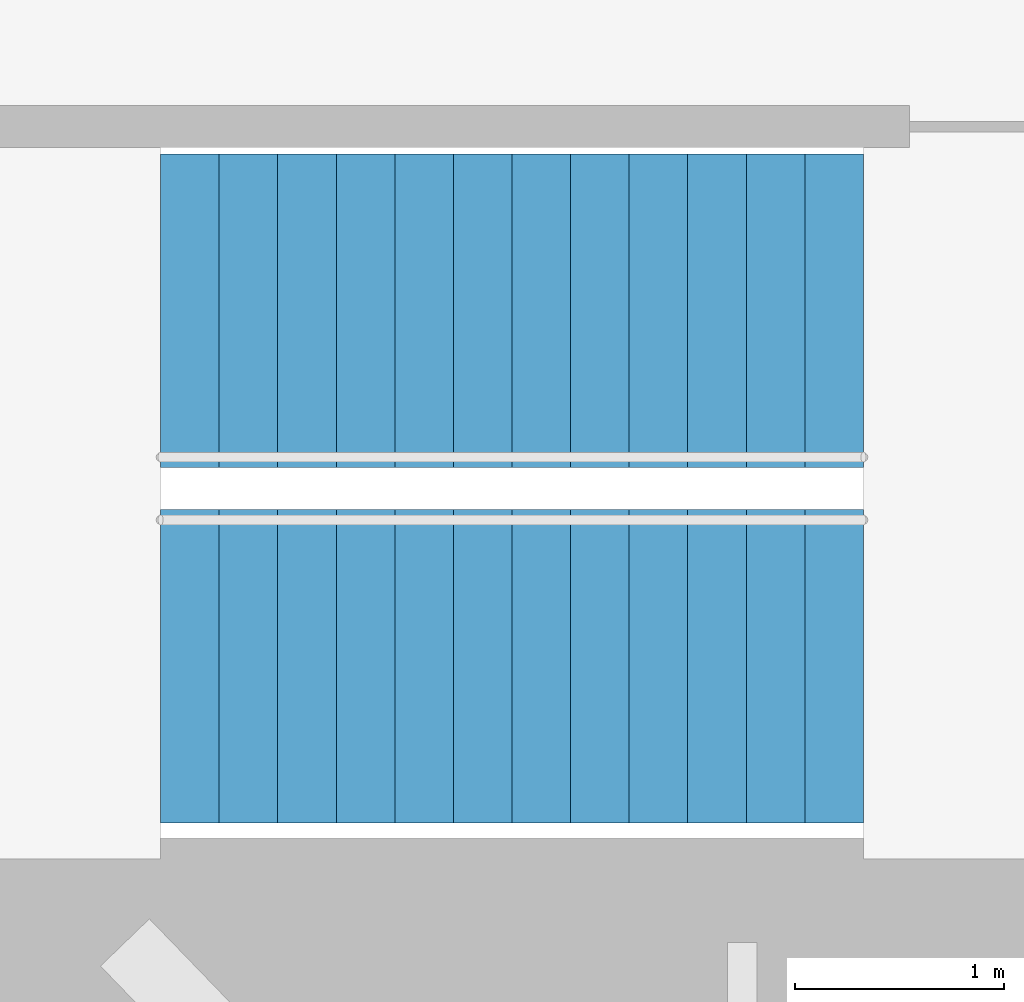
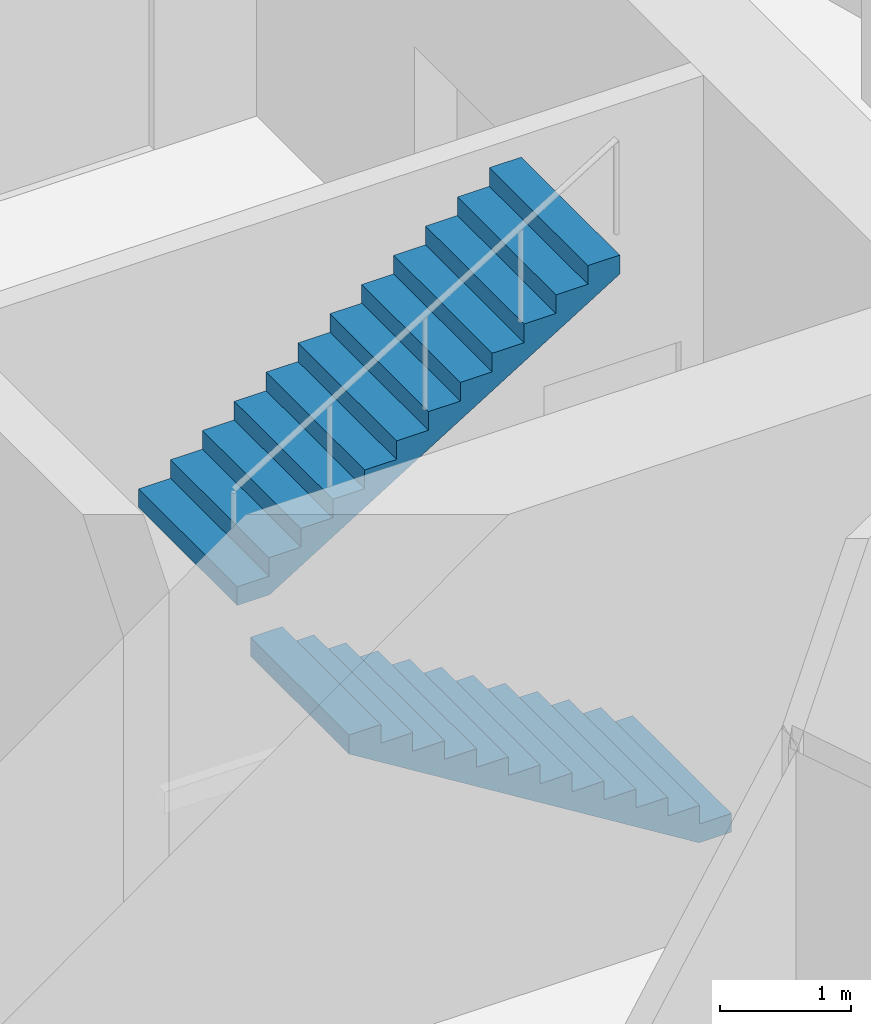
# One storey, part 15 of 17: 2 stair flights, 1 element without a shape of its own.
"""IFC4 building model written with IfcOpenShell, lengths in metres."""

import ifcopenshell
import ifcopenshell.guid

model = None  # the IFC model being written
_history = None  # IfcOwnerHistory: only IFC2X3 demands one
_inside = {}  # id of a spatial element -> (the spatial element, [elements in it])
_under = {}  # id of a project, library or spatial element -> (it, [spatial elements below it])
_declared = {}  # id of a project -> (the project, [libraries it declares])
_typed = {}  # id of a type object -> (the type object, [elements of that type])
_made_of = {}  # id of a material, layer set ... -> (it, [elements and type objects made of it])


def new_model(schema):
    """Start an empty IFC model of exactly this schema.

    Asked for "IFC4X3", IfcOpenShell would pick the latest addendum, in which some entities
    have other attributes; the version numbers below select the first issue.
    IFC2X3 requires an IfcOwnerHistory on every rooted entity: one is made here for all.
    """
    global model, _history
    if schema == "IFC4X3":
        model = ifcopenshell.file(schema_version=(4, 3, 0, 0))
    else:
        model = ifcopenshell.file(schema=schema)
    _inside.clear()
    _under.clear()
    _declared.clear()
    _typed.clear()
    _made_of.clear()
    _history = None
    if model.schema == "IFC2X3":
        org = make("IfcOrganization", Name="unknown")
        user = make(
            "IfcPersonAndOrganization",
            ThePerson=make("IfcPerson", FamilyName="unknown"),
            TheOrganization=org,
        )
        app = make(
            "IfcApplication",
            ApplicationDeveloper=org,
            Version="unknown",
            ApplicationFullName="unknown",
            ApplicationIdentifier="unknown",
        )
        _history = make(
            "IfcOwnerHistory",
            OwningUser=user,
            OwningApplication=app,
            ChangeAction="ADDED",
            CreationDate=0,
        )
    return model


def make(cls, **values):
    """One entity of the class cls with the attributes given. An attribute that is None is left unset."""
    return model.create_entity(
        cls, **{name: value for name, value in values.items() if value is not None}
    )


def rooted(cls, **values):
    """An entity with a GlobalId (a new one), such as an element, a storey or a relation."""
    return make(cls, GlobalId=ifcopenshell.guid.new(), OwnerHistory=_history, **values)


def si_unit(unit_type, name, prefix=None):
    """IfcSIUnit, for example si_unit("LENGTHUNIT", "METRE", prefix="MILLI")."""
    return make("IfcSIUnit", UnitType=unit_type, Prefix=prefix, Name=name)


def assignment(units):
    """IfcUnitAssignment: the units of a project."""
    return None if units is None else make("IfcUnitAssignment", Units=units)


def point(xyz):
    """IfcCartesianPoint."""
    return None if xyz is None else make("IfcCartesianPoint", Coordinates=xyz)


def direction(xyz):
    """IfcDirection."""
    return None if xyz is None else make("IfcDirection", DirectionRatios=xyz)


def frame(location, z_axis=None, x_axis=None):
    """IfcAxis2Placement3D, a coordinate frame: its origin and axes. An axis left out is left unset."""
    return make(
        "IfcAxis2Placement3D",
        Location=point(location),
        Axis=direction(z_axis),
        RefDirection=direction(x_axis),
    )


def origin():
    """The frame at (0, 0, 0) with its axes left unset."""
    return frame((0.0, 0.0, 0.0))


def place(relative_to, where):
    """IfcLocalPlacement: puts the frame where relative to a parent placement (None: the world)."""
    return make(
        "IfcLocalPlacement", PlacementRelTo=relative_to, RelativePlacement=where
    )


def context(
    kind, dimensions, precision=None, world=None, true_north=None, identifier=None
):
    """IfcGeometricRepresentationContext, for example the 3D "Model" context."""
    return make(
        "IfcGeometricRepresentationContext",
        ContextIdentifier=identifier,
        ContextType=kind,
        CoordinateSpaceDimension=dimensions,
        Precision=precision,
        WorldCoordinateSystem=world,
        TrueNorth=true_north,
    )


def subcontext(parent, identifier, kind, view, scale=None):
    """IfcGeometricRepresentationSubContext, for example "Body" below "Model"."""
    return make(
        "IfcGeometricRepresentationSubContext",
        ContextIdentifier=identifier,
        ContextType=kind,
        ParentContext=parent,
        TargetScale=scale,
        TargetView=view,
    )


def project(units=None, contexts=None):
    """IfcProject with its units and contexts."""
    return rooted(
        "IfcProject",
        Name="project",
        RepresentationContexts=contexts,
        UnitsInContext=assignment(units),
    )


def spatial(cls, under=None, at=None, **own):
    """A site, building, storey or space (cls), placed at a placement, below another one or the project."""
    s = rooted(cls, ObjectPlacement=at, **own)
    if under is not None:
        _under.setdefault(under.id(), (under, []))[1].append(s)
    return s


def point_list(points):
    """IfcCartesianPointList2D or 3D."""
    cls = (
        "IfcCartesianPointList2D" if len(points[0]) == 2 else "IfcCartesianPointList3D"
    )
    return make(cls, CoordList=points)


def triangles(points, corners, closed=None, point_numbers=None):
    """IfcTriangulatedFaceSet: each triangle names its three corners, points numbered from 1."""
    return make(
        "IfcTriangulatedFaceSet",
        Coordinates=point_list(points),
        Closed=closed,
        CoordIndex=corners,
        PnIndex=point_numbers,
    )


def shape(context_of_items, identifier, shape_type, items):
    """IfcShapeRepresentation: the items that make up one representation, for example the "Body"."""
    return make(
        "IfcShapeRepresentation",
        ContextOfItems=context_of_items,
        RepresentationIdentifier=identifier,
        RepresentationType=shape_type,
        Items=items,
    )


def material(Name=None, Category=None):
    """IfcMaterial."""
    return make("IfcMaterial", Name=Name, Category=Category)


def made_of(thing, what):
    """Note that an element or type object is made of a material, layer set ...; save() writes the relation."""
    if what is not None:
        _made_of.setdefault(what.id(), (what, []))[1].append(thing)
    return thing


def type_object(cls, material=None, **own):
    """A type object (cls), such as IfcWallType, which elements share."""
    return made_of(rooted(cls, **own), material)


def element(
    cls,
    number,
    at=None,
    inside=None,
    cuts=None,
    type_object=None,
    material=None,
    context=None,
    identifier="Body",
    shape_type=None,
    held_by="IfcProductDefinitionShape",
    body=None,
    shapes=None,
    **own,
):
    """One element of the class cls, such as IfcWall. Its Tag is "e" and its number.

    at: its placement. inside: the storey or other place that contains it. cuts: it is an
    opening in that element (IfcRelVoidsElement). A single representation is given by context,
    identifier, shape_type and body (its items); several are given by shapes. held_by: the class
    of the entity that holds the representations. save() writes the other relations.
    """
    e = rooted(cls, Tag="e%d" % number, ObjectPlacement=at, **own)
    if body is not None:
        shapes = [shape(context, identifier, shape_type, body)]
    if shapes is not None:
        e.Representation = make(held_by, Representations=shapes)
    if inside is not None:
        _inside.setdefault(inside.id(), (inside, []))[1].append(e)
    if cuts is not None:
        rooted(
            "IfcRelVoidsElement", RelatingBuildingElement=cuts, RelatedOpeningElement=e
        )
    if type_object is not None:
        _typed.setdefault(type_object.id(), (type_object, []))[1].append(e)
    return made_of(e, material)


def aggregate(whole, parts):
    """IfcRelAggregates: a whole, such as a stair, and the parts it consists of."""
    return rooted("IfcRelAggregates", RelatingObject=whole, RelatedObjects=parts)


def save(model, path):
    """Write the relations noted so far, then the file.

    IfcRelAggregates (storeys below a building ...), IfcRelContainedInSpatialStructure (elements
    in a storey), IfcRelDefinesByType, IfcRelAssociatesMaterial and IfcRelDeclares: one each for
    every whole, place, type object, material and project.
    """
    for whole, parts in _under.values():
        aggregate(whole, parts)
    for where, things in _inside.values():
        rooted(
            "IfcRelContainedInSpatialStructure",
            RelatedElements=things,
            RelatingStructure=where,
        )
    for kind, things in _typed.values():
        rooted("IfcRelDefinesByType", RelatedObjects=things, RelatingType=kind)
    for what, things in _made_of.values():
        rooted("IfcRelAssociatesMaterial", RelatedObjects=things, RelatingMaterial=what)
    for by, libraries in _declared.values():
        rooted("IfcRelDeclares", RelatingContext=by, RelatedDefinitions=libraries)
    model.write(path)


model = new_model("IFC4")

# Units and contexts
model_context = context("Model", 3, precision=1e-05, world=origin(), true_north=direction((0.0, 1.0)))
body_context = subcontext(model_context, "Body", "Model", "MODEL_VIEW")
ifc_project = project(units=[si_unit("LENGTHUNIT", "METRE"), si_unit("AREAUNIT", "SQUARE_METRE"), si_unit("VOLUMEUNIT", "CUBIC_METRE"), si_unit("PLANEANGLEUNIT", "RADIAN"), si_unit("MASSUNIT", "GRAM", prefix="KILO")], contexts=[model_context])

# Site, building, storey
site_placement = place(None, origin())
site = spatial("IfcSite", under=ifc_project, at=site_placement, CompositionType="ELEMENT")
building_placement = place(site_placement, origin())
building = spatial("IfcBuilding", under=site, at=building_placement, Name="Lantaw Convention Tower", CompositionType="ELEMENT")
storey_placement = place(building_placement, frame((0.0, 0.0, 270.39990234375)))
storey = spatial("IfcBuildingStorey", under=building, at=storey_placement, Name="L63", CompositionType="ELEMENT", Elevation=270.39990234375)

# Stair, stair flights
ifc_material = material(Name="Concrete C35/45", Category="concrete")
stair_type = type_object("IfcStairType", Name="Exit stair 1500 riser 173.08 in 2 flights", PredefinedType="HALF_TURN_STAIR", material=ifc_material)
stair_placement = place(storey_placement, origin())
stair = element("IfcStair", 1, at=stair_placement, inside=storey, type_object=stair_type, Name="Exit stair S2 L63", PredefinedType="HALF_TURN_STAIR")
stair_flight_type = type_object("IfcStairFlightType", Name="Stair flight 1500 riser 173.08", PredefinedType="STRAIGHT", material=ifc_material)
stair_flight_1_placement = place(storey_placement, frame((10.580078125, -5.97998046875, 0.0), z_axis=(0.0, 0.0, 1.0), x_axis=(-1.0, 0.0, 0.0)))
stair_flight_1 = element("IfcStairFlight", 2, at=stair_flight_1_placement, type_object=stair_flight_type, Name="S2 flight 1", NumberOfRisers=13, NumberOfTreads=12, PredefinedType="STRAIGHT", RiserHeight=0.173076923, TreadLength=0.28, context=body_context, shape_type="Tessellation", body=[
    triangles([(0.0, 0.75, 0.0), (0.0, 0.75, 0.173076923), (0.28, 0.75, 0.0), (0.28, 0.75, 0.173076923), (0.28, 0.75, 0.346153846), (0.28509853184261624, 0.75, 0.0), (0.28509853184261624, 0.75, 0.346153846), (0.56, 0.75, 0.16992535798879452), (0.56, 0.75, 0.346153846), (0.56, 0.75, 0.519230769), (0.8400000000000001, 0.75, 0.34300228098879454), (0.8400000000000001, 0.75, 0.519230769), (0.8400000000000001, 0.75, 0.692307692), (1.12, 0.75, 0.5160792039887945), (1.12, 0.75, 0.692307692), (1.12, 0.75, 0.865384615), (1.4000000000000001, 0.75, 0.6891561269887945), (1.4000000000000001, 0.75, 0.865384615), (1.4000000000000001, 0.75, 1.038461538), (1.6800000000000002, 0.75, 0.8622330499887946), (1.6800000000000002, 0.75, 1.038461538), (1.6800000000000002, 0.75, 1.211538461), (1.9600000000000002, 0.75, 1.0353099729887945), (1.9600000000000002, 0.75, 1.211538461), (1.9600000000000002, 0.75, 1.384615384), (2.24, 0.75, 1.2083868959887945), (2.24, 0.75, 1.384615384), (2.24, 0.75, 1.557692307), (2.5200000000000005, 0.75, 1.3814638189887947), (2.5200000000000005, 0.75, 1.557692307), (2.5200000000000005, 0.75, 1.73076923), (2.8000000000000003, 0.75, 1.5545407419887944), (2.8000000000000003, 0.75, 1.73076923), (2.8000000000000003, 0.75, 1.903846153), (3.08, 0.75, 1.7276176649887944), (3.08, 0.75, 1.903846153), (3.08, 0.75, 2.076923076), (3.3600000000000003, 0.75, 1.9006945879887944), (3.3600000000000003, 0.75, 2.076923076), (0.0, -0.75, 0.0), (0.0, -0.75, 0.173076923), (0.28, -0.75, 0.0), (0.28, -0.75, 0.173076923), (0.28, -0.75, 0.346153846), (0.28509853184261624, -0.75, 0.0), (0.28509853184261624, -0.75, 0.346153846), (0.56, -0.75, 0.16992535798879452), (0.56, -0.75, 0.346153846), (0.56, -0.75, 0.519230769), (0.8400000000000001, -0.75, 0.34300228098879454), (0.8400000000000001, -0.75, 0.519230769), (0.8400000000000001, -0.75, 0.692307692), (1.12, -0.75, 0.5160792039887945), (1.12, -0.75, 0.692307692), (1.12, -0.75, 0.865384615), (1.4000000000000001, -0.75, 0.6891561269887945), (1.4000000000000001, -0.75, 0.865384615), (1.4000000000000001, -0.75, 1.038461538), (1.6800000000000002, -0.75, 0.8622330499887946), (1.6800000000000002, -0.75, 1.038461538), (1.6800000000000002, -0.75, 1.211538461), (1.9600000000000002, -0.75, 1.0353099729887945), (1.9600000000000002, -0.75, 1.211538461), (1.9600000000000002, -0.75, 1.384615384), (2.24, -0.75, 1.2083868959887945), (2.24, -0.75, 1.384615384), (2.24, -0.75, 1.557692307), (2.5200000000000005, -0.75, 1.3814638189887947), (2.5200000000000005, -0.75, 1.557692307), (2.5200000000000005, -0.75, 1.73076923), (2.8000000000000003, -0.75, 1.5545407419887944), (2.8000000000000003, -0.75, 1.73076923), (2.8000000000000003, -0.75, 1.903846153), (3.08, -0.75, 1.7276176649887944), (3.08, -0.75, 1.903846153), (3.08, -0.75, 2.076923076), (3.3600000000000003, -0.75, 1.9006945879887944), (3.3600000000000003, -0.75, 2.076923076), (0.0, 0.15000000000000002, 0.173076923), (0.0, 0.15000000000000002, 0.0), (0.0, 0.0, 0.173076923), (0.0, 0.0, 0.0), (0.0, -0.15000000000000002, 0.173076923), (0.0, -0.15000000000000002, 0.0), (0.28, 0.15000000000000002, 0.346153846), (0.28, 0.15000000000000002, 0.173076923), (0.28, 0.0, 0.346153846), (0.28, 0.0, 0.173076923), (0.28, -0.15000000000000002, 0.346153846), (0.28, -0.15000000000000002, 0.173076923), (0.56, 0.15000000000000002, 0.519230769), (0.56, 0.15000000000000002, 0.346153846), (0.56, 0.0, 0.519230769), (0.56, 0.0, 0.346153846), (0.56, -0.15000000000000002, 0.519230769), (0.56, -0.15000000000000002, 0.346153846), (0.8400000000000001, 0.15000000000000002, 0.692307692), (0.8400000000000001, 0.15000000000000002, 0.519230769), (0.8400000000000001, 0.0, 0.692307692), (0.8400000000000001, 0.0, 0.519230769), (0.8400000000000001, -0.15000000000000002, 0.692307692), (0.8400000000000001, -0.15000000000000002, 0.519230769), (1.12, 0.15000000000000002, 0.865384615), (1.12, 0.15000000000000002, 0.692307692), (1.12, 0.0, 0.865384615), (1.12, 0.0, 0.692307692), (1.12, -0.15000000000000002, 0.865384615), (1.12, -0.15000000000000002, 0.692307692), (1.4000000000000001, 0.15000000000000002, 1.038461538), (1.4000000000000001, 0.15000000000000002, 0.865384615), (1.4000000000000001, 0.0, 1.038461538), (1.4000000000000001, 0.0, 0.865384615), (1.4000000000000001, -0.15000000000000002, 1.038461538), (1.4000000000000001, -0.15000000000000002, 0.865384615), (1.6800000000000002, 0.15000000000000002, 1.211538461), (1.6800000000000002, 0.15000000000000002, 1.038461538), (1.6800000000000002, 0.0, 1.211538461), (1.6800000000000002, 0.0, 1.038461538), (1.6800000000000002, -0.15000000000000002, 1.211538461), (1.6800000000000002, -0.15000000000000002, 1.038461538), (1.9600000000000002, 0.15000000000000002, 1.384615384), (1.9600000000000002, 0.15000000000000002, 1.211538461), (1.9600000000000002, 0.0, 1.384615384), (1.9600000000000002, 0.0, 1.211538461), (1.9600000000000002, -0.15000000000000002, 1.384615384), (1.9600000000000002, -0.15000000000000002, 1.211538461), (2.24, 0.15000000000000002, 1.557692307), (2.24, 0.15000000000000002, 1.384615384), (2.24, 0.0, 1.557692307), (2.24, 0.0, 1.384615384), (2.24, -0.15000000000000002, 1.557692307), (2.24, -0.15000000000000002, 1.384615384), (2.5200000000000005, 0.15000000000000002, 1.73076923), (2.5200000000000005, 0.15000000000000002, 1.557692307), (2.5200000000000005, 0.0, 1.73076923), (2.5200000000000005, 0.0, 1.557692307), (2.5200000000000005, -0.15000000000000002, 1.73076923), (2.5200000000000005, -0.15000000000000002, 1.557692307), (2.8000000000000003, 0.15000000000000002, 1.903846153), (2.8000000000000003, 0.15000000000000002, 1.73076923), (2.8000000000000003, 0.0, 1.903846153), (2.8000000000000003, 0.0, 1.73076923), (2.8000000000000003, -0.15000000000000002, 1.903846153), (2.8000000000000003, -0.15000000000000002, 1.73076923), (3.08, 0.15000000000000002, 2.076923076), (3.08, 0.15000000000000002, 1.903846153), (3.08, 0.0, 2.076923076), (3.08, 0.0, 1.903846153), (3.08, -0.15000000000000002, 2.076923076), (3.08, -0.15000000000000002, 1.903846153), (0.28509853184261624, 0.15000000000000002, 0.346153846), (0.28509853184261624, 0.0, 0.346153846), (0.28509853184261624, -0.15000000000000002, 0.346153846), (3.3600000000000003, 0.15000000000000002, 2.076923076), (3.3600000000000003, 0.0, 2.076923076), (3.3600000000000003, -0.15000000000000002, 2.076923076), (3.3600000000000003, 0.15000000000000002, 1.9006945879887942), (3.3600000000000003, 0.0, 1.9006945879887942), (3.3600000000000003, -0.15000000000000002, 1.9006945879887942), (3.08, 0.15000000000000002, 1.7276176649887944), (3.08, 0.0, 1.7276176649887944), (3.08, -0.15000000000000002, 1.7276176649887944), (2.8000000000000003, 0.15000000000000002, 1.5545407419887944), (2.8000000000000003, 0.0, 1.5545407419887944), (2.8000000000000003, -0.15000000000000002, 1.5545407419887944), (2.5200000000000005, 0.15000000000000002, 1.3814638189887947), (2.5200000000000005, 0.0, 1.3814638189887947), (2.5200000000000005, -0.15000000000000002, 1.3814638189887947), (2.24, 0.15000000000000002, 1.2083868959887945), (2.24, 0.0, 1.2083868959887945), (2.24, -0.15000000000000002, 1.2083868959887945), (1.9600000000000002, 0.15000000000000002, 1.0353099729887945), (1.9600000000000002, 0.0, 1.0353099729887945), (1.9600000000000002, -0.15000000000000002, 1.0353099729887945), (1.6800000000000002, 0.15000000000000002, 0.8622330499887946), (1.6800000000000002, 0.0, 0.8622330499887946), (1.6800000000000002, -0.15000000000000002, 0.8622330499887946), (1.4000000000000001, 0.15000000000000002, 0.6891561269887945), (1.4000000000000001, 0.0, 0.6891561269887945), (1.4000000000000001, -0.15000000000000002, 0.6891561269887945), (1.12, 0.15000000000000002, 0.5160792039887945), (1.12, 0.0, 0.5160792039887945), (1.12, -0.15000000000000002, 0.5160792039887945), (0.8400000000000001, 0.15000000000000002, 0.34300228098879454), (0.8400000000000001, 0.0, 0.34300228098879454), (0.8400000000000001, -0.15000000000000002, 0.34300228098879454), (0.56, 0.15000000000000002, 0.16992535798879452), (0.56, 0.0, 0.16992535798879452), (0.56, -0.15000000000000002, 0.16992535798879452), (0.28509853184261624, 0.15000000000000002, 0.0), (0.28509853184261624, 0.0, 0.0), (0.28509853184261624, -0.15000000000000002, 0.0), (0.28, 0.15000000000000002, 0.0), (0.28, 0.0, 0.0), (0.28, -0.15000000000000002, 0.0)], [[1, 4, 3], [1, 2, 4], [3, 4, 6], [4, 7, 6], [4, 5, 7], [6, 9, 8], [6, 7, 9], [8, 9, 11], [9, 12, 11], [9, 10, 12], [11, 12, 14], [12, 15, 14], [12, 13, 15], [14, 15, 17], [15, 18, 17], [15, 16, 18], [17, 18, 20], [18, 21, 20], [18, 19, 21], [20, 21, 23], [21, 24, 23], [21, 22, 24], [23, 24, 26], [24, 27, 26], [24, 25, 27], [26, 27, 29], [27, 30, 29], [27, 28, 30], [29, 30, 32], [30, 33, 32], [30, 31, 33], [32, 33, 35], [33, 36, 35], [33, 34, 36], [35, 36, 38], [36, 39, 38], [36, 37, 39], [40, 42, 43], [40, 43, 41], [42, 45, 43], [43, 45, 46], [43, 46, 44], [45, 47, 48], [45, 48, 46], [47, 50, 48], [48, 50, 51], [48, 51, 49], [50, 53, 51], [51, 53, 54], [51, 54, 52], [53, 56, 54], [54, 56, 57], [54, 57, 55], [56, 59, 57], [57, 59, 60], [57, 60, 58], [59, 62, 60], [60, 62, 63], [60, 63, 61], [62, 65, 63], [63, 65, 66], [63, 66, 64], [65, 68, 66], [66, 68, 69], [66, 69, 67], [68, 71, 69], [69, 71, 72], [69, 72, 70], [71, 74, 72], [72, 74, 75], [72, 75, 73], [74, 77, 75], [75, 77, 78], [75, 78, 76], [1, 79, 2], [1, 80, 79], [80, 81, 79], [80, 82, 81], [82, 83, 81], [82, 84, 83], [84, 41, 83], [84, 40, 41], [4, 85, 5], [4, 86, 85], [86, 87, 85], [86, 88, 87], [88, 89, 87], [88, 90, 89], [90, 44, 89], [90, 43, 44], [9, 91, 10], [9, 92, 91], [92, 93, 91], [92, 94, 93], [94, 95, 93], [94, 96, 95], [96, 49, 95], [96, 48, 49], [12, 97, 13], [12, 98, 97], [98, 99, 97], [98, 100, 99], [100, 101, 99], [100, 102, 101], [102, 52, 101], [102, 51, 52], [15, 103, 16], [15, 104, 103], [104, 105, 103], [104, 106, 105], [106, 107, 105], [106, 108, 107], [108, 55, 107], [108, 54, 55], [18, 109, 19], [18, 110, 109], [110, 111, 109], [110, 112, 111], [112, 113, 111], [112, 114, 113], [114, 58, 113], [114, 57, 58], [21, 115, 22], [21, 116, 115], [116, 117, 115], [116, 118, 117], [118, 119, 117], [118, 120, 119], [120, 61, 119], [120, 60, 61], [24, 121, 25], [24, 122, 121], [122, 123, 121], [122, 124, 123], [124, 125, 123], [124, 126, 125], [126, 64, 125], [126, 63, 64], [27, 127, 28], [27, 128, 127], [128, 129, 127], [128, 130, 129], [130, 131, 129], [130, 132, 131], [132, 67, 131], [132, 66, 67], [30, 133, 31], [30, 134, 133], [134, 135, 133], [134, 136, 135], [136, 137, 135], [136, 138, 137], [138, 70, 137], [138, 69, 70], [33, 139, 34], [33, 140, 139], [140, 141, 139], [140, 142, 141], [142, 143, 141], [142, 144, 143], [144, 73, 143], [144, 72, 73], [36, 145, 37], [36, 146, 145], [146, 147, 145], [146, 148, 147], [148, 149, 147], [148, 150, 149], [150, 76, 149], [150, 75, 76], [2, 86, 4], [2, 79, 86], [79, 88, 86], [79, 81, 88], [81, 90, 88], [81, 83, 90], [83, 43, 90], [83, 41, 43], [5, 151, 7], [5, 85, 151], [85, 152, 151], [85, 87, 152], [87, 153, 152], [87, 89, 153], [89, 46, 153], [89, 44, 46], [7, 92, 9], [7, 151, 92], [151, 94, 92], [151, 152, 94], [152, 96, 94], [152, 153, 96], [153, 48, 96], [153, 46, 48], [10, 98, 12], [10, 91, 98], [91, 100, 98], [91, 93, 100], [93, 102, 100], [93, 95, 102], [95, 51, 102], [95, 49, 51], [13, 104, 15], [13, 97, 104], [97, 106, 104], [97, 99, 106], [99, 108, 106], [99, 101, 108], [101, 54, 108], [101, 52, 54], [16, 110, 18], [16, 103, 110], [103, 112, 110], [103, 105, 112], [105, 114, 112], [105, 107, 114], [107, 57, 114], [107, 55, 57], [19, 116, 21], [19, 109, 116], [109, 118, 116], [109, 111, 118], [111, 120, 118], [111, 113, 120], [113, 60, 120], [113, 58, 60], [22, 122, 24], [22, 115, 122], [115, 124, 122], [115, 117, 124], [117, 126, 124], [117, 119, 126], [119, 63, 126], [119, 61, 63], [25, 128, 27], [25, 121, 128], [121, 130, 128], [121, 123, 130], [123, 132, 130], [123, 125, 132], [125, 66, 132], [125, 64, 66], [28, 134, 30], [28, 127, 134], [127, 136, 134], [127, 129, 136], [129, 138, 136], [129, 131, 138], [131, 69, 138], [131, 67, 69], [31, 140, 33], [31, 133, 140], [133, 142, 140], [133, 135, 142], [135, 144, 142], [135, 137, 144], [137, 72, 144], [137, 70, 72], [34, 146, 36], [34, 139, 146], [139, 148, 146], [139, 141, 148], [141, 150, 148], [141, 143, 150], [143, 75, 150], [143, 73, 75], [37, 154, 39], [37, 145, 154], [145, 155, 154], [145, 147, 155], [147, 156, 155], [147, 149, 156], [149, 78, 156], [149, 76, 78], [39, 157, 38], [39, 154, 157], [154, 158, 157], [154, 155, 158], [155, 159, 158], [155, 156, 159], [156, 77, 159], [156, 78, 77], [38, 160, 35], [38, 157, 160], [157, 161, 160], [157, 158, 161], [158, 162, 161], [158, 159, 162], [159, 74, 162], [159, 77, 74], [35, 163, 32], [35, 160, 163], [160, 164, 163], [160, 161, 164], [161, 165, 164], [161, 162, 165], [162, 71, 165], [162, 74, 71], [32, 166, 29], [32, 163, 166], [163, 167, 166], [163, 164, 167], [164, 168, 167], [164, 165, 168], [165, 68, 168], [165, 71, 68], [29, 169, 26], [29, 166, 169], [166, 170, 169], [166, 167, 170], [167, 171, 170], [167, 168, 171], [168, 65, 171], [168, 68, 65], [26, 172, 23], [26, 169, 172], [169, 173, 172], [169, 170, 173], [170, 174, 173], [170, 171, 174], [171, 62, 174], [171, 65, 62], [23, 175, 20], [23, 172, 175], [172, 176, 175], [172, 173, 176], [173, 177, 176], [173, 174, 177], [174, 59, 177], [174, 62, 59], [20, 178, 17], [20, 175, 178], [175, 179, 178], [175, 176, 179], [176, 180, 179], [176, 177, 180], [177, 56, 180], [177, 59, 56], [17, 181, 14], [17, 178, 181], [178, 182, 181], [178, 179, 182], [179, 183, 182], [179, 180, 183], [180, 53, 183], [180, 56, 53], [14, 184, 11], [14, 181, 184], [181, 185, 184], [181, 182, 185], [182, 186, 185], [182, 183, 186], [183, 50, 186], [183, 53, 50], [11, 187, 8], [11, 184, 187], [184, 188, 187], [184, 185, 188], [185, 189, 188], [185, 186, 189], [186, 47, 189], [186, 50, 47], [8, 190, 6], [8, 187, 190], [187, 191, 190], [187, 188, 191], [188, 192, 191], [188, 189, 192], [189, 45, 192], [189, 47, 45], [6, 193, 3], [6, 190, 193], [190, 194, 193], [190, 191, 194], [191, 195, 194], [191, 192, 195], [192, 42, 195], [192, 45, 42], [3, 80, 1], [3, 193, 80], [193, 82, 80], [193, 194, 82], [194, 84, 82], [194, 195, 84], [195, 40, 84], [195, 42, 40]], closed=True),
])
stair_flight_2_placement = place(storey_placement, frame((7.219970703125, -4.280029296875, 2.25), z_axis=(0.0, 0.0, 1.0), x_axis=(1.0, 0.0, 0.0)))
stair_flight_2 = element("IfcStairFlight", 3, at=stair_flight_2_placement, type_object=stair_flight_type, Name="S2 flight 2", NumberOfRisers=13, NumberOfTreads=12, PredefinedType="STRAIGHT", RiserHeight=0.173076923, TreadLength=0.28, context=body_context, shape_type="Tessellation", body=[
    triangles([(0.0, 0.75, 0.0), (0.0, 0.75, 0.173076923), (0.28, 0.75, 0.0), (0.28, 0.75, 0.173076923), (0.28, 0.75, 0.346153846), (0.28509853184261624, 0.75, 0.0), (0.28509853184261624, 0.75, 0.346153846), (0.56, 0.75, 0.16992535798879452), (0.56, 0.75, 0.346153846), (0.56, 0.75, 0.519230769), (0.8400000000000001, 0.75, 0.34300228098879454), (0.8400000000000001, 0.75, 0.519230769), (0.8400000000000001, 0.75, 0.692307692), (1.12, 0.75, 0.5160792039887945), (1.12, 0.75, 0.692307692), (1.12, 0.75, 0.865384615), (1.4000000000000001, 0.75, 0.6891561269887945), (1.4000000000000001, 0.75, 0.865384615), (1.4000000000000001, 0.75, 1.038461538), (1.6800000000000002, 0.75, 0.8622330499887946), (1.6800000000000002, 0.75, 1.038461538), (1.6800000000000002, 0.75, 1.211538461), (1.9600000000000002, 0.75, 1.0353099729887945), (1.9600000000000002, 0.75, 1.211538461), (1.9600000000000002, 0.75, 1.384615384), (2.24, 0.75, 1.2083868959887945), (2.24, 0.75, 1.384615384), (2.24, 0.75, 1.557692307), (2.5200000000000005, 0.75, 1.3814638189887947), (2.5200000000000005, 0.75, 1.557692307), (2.5200000000000005, 0.75, 1.73076923), (2.8000000000000003, 0.75, 1.5545407419887944), (2.8000000000000003, 0.75, 1.73076923), (2.8000000000000003, 0.75, 1.903846153), (3.08, 0.75, 1.7276176649887944), (3.08, 0.75, 1.903846153), (3.08, 0.75, 2.076923076), (3.3600000000000003, 0.75, 1.9006945879887944), (3.3600000000000003, 0.75, 2.076923076), (0.0, -0.75, 0.0), (0.0, -0.75, 0.173076923), (0.28, -0.75, 0.0), (0.28, -0.75, 0.173076923), (0.28, -0.75, 0.346153846), (0.28509853184261624, -0.75, 0.0), (0.28509853184261624, -0.75, 0.346153846), (0.56, -0.75, 0.16992535798879452), (0.56, -0.75, 0.346153846), (0.56, -0.75, 0.519230769), (0.8400000000000001, -0.75, 0.34300228098879454), (0.8400000000000001, -0.75, 0.519230769), (0.8400000000000001, -0.75, 0.692307692), (1.12, -0.75, 0.5160792039887945), (1.12, -0.75, 0.692307692), (1.12, -0.75, 0.865384615), (1.4000000000000001, -0.75, 0.6891561269887945), (1.4000000000000001, -0.75, 0.865384615), (1.4000000000000001, -0.75, 1.038461538), (1.6800000000000002, -0.75, 0.8622330499887946), (1.6800000000000002, -0.75, 1.038461538), (1.6800000000000002, -0.75, 1.211538461), (1.9600000000000002, -0.75, 1.0353099729887945), (1.9600000000000002, -0.75, 1.211538461), (1.9600000000000002, -0.75, 1.384615384), (2.24, -0.75, 1.2083868959887945), (2.24, -0.75, 1.384615384), (2.24, -0.75, 1.557692307), (2.5200000000000005, -0.75, 1.3814638189887947), (2.5200000000000005, -0.75, 1.557692307), (2.5200000000000005, -0.75, 1.73076923), (2.8000000000000003, -0.75, 1.5545407419887944), (2.8000000000000003, -0.75, 1.73076923), (2.8000000000000003, -0.75, 1.903846153), (3.08, -0.75, 1.7276176649887944), (3.08, -0.75, 1.903846153), (3.08, -0.75, 2.076923076), (3.3600000000000003, -0.75, 1.9006945879887944), (3.3600000000000003, -0.75, 2.076923076), (0.0, 0.15000000000000002, 0.173076923), (0.0, 0.15000000000000002, 0.0), (0.0, 0.0, 0.173076923), (0.0, 0.0, 0.0), (0.0, -0.15000000000000002, 0.173076923), (0.0, -0.15000000000000002, 0.0), (0.28, 0.15000000000000002, 0.346153846), (0.28, 0.15000000000000002, 0.173076923), (0.28, 0.0, 0.346153846), (0.28, 0.0, 0.173076923), (0.28, -0.15000000000000002, 0.346153846), (0.28, -0.15000000000000002, 0.173076923), (0.56, 0.15000000000000002, 0.519230769), (0.56, 0.15000000000000002, 0.346153846), (0.56, 0.0, 0.519230769), (0.56, 0.0, 0.346153846), (0.56, -0.15000000000000002, 0.519230769), (0.56, -0.15000000000000002, 0.346153846), (0.8400000000000001, 0.15000000000000002, 0.692307692), (0.8400000000000001, 0.15000000000000002, 0.519230769), (0.8400000000000001, 0.0, 0.692307692), (0.8400000000000001, 0.0, 0.519230769), (0.8400000000000001, -0.15000000000000002, 0.692307692), (0.8400000000000001, -0.15000000000000002, 0.519230769), (1.12, 0.15000000000000002, 0.865384615), (1.12, 0.15000000000000002, 0.692307692), (1.12, 0.0, 0.865384615), (1.12, 0.0, 0.692307692), (1.12, -0.15000000000000002, 0.865384615), (1.12, -0.15000000000000002, 0.692307692), (1.4000000000000001, 0.15000000000000002, 1.038461538), (1.4000000000000001, 0.15000000000000002, 0.865384615), (1.4000000000000001, 0.0, 1.038461538), (1.4000000000000001, 0.0, 0.865384615), (1.4000000000000001, -0.15000000000000002, 1.038461538), (1.4000000000000001, -0.15000000000000002, 0.865384615), (1.6800000000000002, 0.15000000000000002, 1.211538461), (1.6800000000000002, 0.15000000000000002, 1.038461538), (1.6800000000000002, 0.0, 1.211538461), (1.6800000000000002, 0.0, 1.038461538), (1.6800000000000002, -0.15000000000000002, 1.211538461), (1.6800000000000002, -0.15000000000000002, 1.038461538), (1.9600000000000002, 0.15000000000000002, 1.384615384), (1.9600000000000002, 0.15000000000000002, 1.211538461), (1.9600000000000002, 0.0, 1.384615384), (1.9600000000000002, 0.0, 1.211538461), (1.9600000000000002, -0.15000000000000002, 1.384615384), (1.9600000000000002, -0.15000000000000002, 1.211538461), (2.24, 0.15000000000000002, 1.557692307), (2.24, 0.15000000000000002, 1.384615384), (2.24, 0.0, 1.557692307), (2.24, 0.0, 1.384615384), (2.24, -0.15000000000000002, 1.557692307), (2.24, -0.15000000000000002, 1.384615384), (2.5200000000000005, 0.15000000000000002, 1.73076923), (2.5200000000000005, 0.15000000000000002, 1.557692307), (2.5200000000000005, 0.0, 1.73076923), (2.5200000000000005, 0.0, 1.557692307), (2.5200000000000005, -0.15000000000000002, 1.73076923), (2.5200000000000005, -0.15000000000000002, 1.557692307), (2.8000000000000003, 0.15000000000000002, 1.903846153), (2.8000000000000003, 0.15000000000000002, 1.73076923), (2.8000000000000003, 0.0, 1.903846153), (2.8000000000000003, 0.0, 1.73076923), (2.8000000000000003, -0.15000000000000002, 1.903846153), (2.8000000000000003, -0.15000000000000002, 1.73076923), (3.08, 0.15000000000000002, 2.076923076), (3.08, 0.15000000000000002, 1.903846153), (3.08, 0.0, 2.076923076), (3.08, 0.0, 1.903846153), (3.08, -0.15000000000000002, 2.076923076), (3.08, -0.15000000000000002, 1.903846153), (0.28509853184261624, 0.15000000000000002, 0.346153846), (0.28509853184261624, 0.0, 0.346153846), (0.28509853184261624, -0.15000000000000002, 0.346153846), (3.3600000000000003, 0.15000000000000002, 2.076923076), (3.3600000000000003, 0.0, 2.076923076), (3.3600000000000003, -0.15000000000000002, 2.076923076), (3.3600000000000003, 0.15000000000000002, 1.9006945879887942), (3.3600000000000003, 0.0, 1.9006945879887942), (3.3600000000000003, -0.15000000000000002, 1.9006945879887942), (3.08, 0.15000000000000002, 1.7276176649887944), (3.08, 0.0, 1.7276176649887944), (3.08, -0.15000000000000002, 1.7276176649887944), (2.8000000000000003, 0.15000000000000002, 1.5545407419887944), (2.8000000000000003, 0.0, 1.5545407419887944), (2.8000000000000003, -0.15000000000000002, 1.5545407419887944), (2.5200000000000005, 0.15000000000000002, 1.3814638189887947), (2.5200000000000005, 0.0, 1.3814638189887947), (2.5200000000000005, -0.15000000000000002, 1.3814638189887947), (2.24, 0.15000000000000002, 1.2083868959887945), (2.24, 0.0, 1.2083868959887945), (2.24, -0.15000000000000002, 1.2083868959887945), (1.9600000000000002, 0.15000000000000002, 1.0353099729887945), (1.9600000000000002, 0.0, 1.0353099729887945), (1.9600000000000002, -0.15000000000000002, 1.0353099729887945), (1.6800000000000002, 0.15000000000000002, 0.8622330499887946), (1.6800000000000002, 0.0, 0.8622330499887946), (1.6800000000000002, -0.15000000000000002, 0.8622330499887946), (1.4000000000000001, 0.15000000000000002, 0.6891561269887945), (1.4000000000000001, 0.0, 0.6891561269887945), (1.4000000000000001, -0.15000000000000002, 0.6891561269887945), (1.12, 0.15000000000000002, 0.5160792039887945), (1.12, 0.0, 0.5160792039887945), (1.12, -0.15000000000000002, 0.5160792039887945), (0.8400000000000001, 0.15000000000000002, 0.34300228098879454), (0.8400000000000001, 0.0, 0.34300228098879454), (0.8400000000000001, -0.15000000000000002, 0.34300228098879454), (0.56, 0.15000000000000002, 0.16992535798879452), (0.56, 0.0, 0.16992535798879452), (0.56, -0.15000000000000002, 0.16992535798879452), (0.28509853184261624, 0.15000000000000002, 0.0), (0.28509853184261624, 0.0, 0.0), (0.28509853184261624, -0.15000000000000002, 0.0), (0.28, 0.15000000000000002, 0.0), (0.28, 0.0, 0.0), (0.28, -0.15000000000000002, 0.0)], [[1, 4, 3], [1, 2, 4], [3, 4, 6], [4, 7, 6], [4, 5, 7], [6, 9, 8], [6, 7, 9], [8, 9, 11], [9, 12, 11], [9, 10, 12], [11, 12, 14], [12, 15, 14], [12, 13, 15], [14, 15, 17], [15, 18, 17], [15, 16, 18], [17, 18, 20], [18, 21, 20], [18, 19, 21], [20, 21, 23], [21, 24, 23], [21, 22, 24], [23, 24, 26], [24, 27, 26], [24, 25, 27], [26, 27, 29], [27, 30, 29], [27, 28, 30], [29, 30, 32], [30, 33, 32], [30, 31, 33], [32, 33, 35], [33, 36, 35], [33, 34, 36], [35, 36, 38], [36, 39, 38], [36, 37, 39], [40, 42, 43], [40, 43, 41], [42, 45, 43], [43, 45, 46], [43, 46, 44], [45, 47, 48], [45, 48, 46], [47, 50, 48], [48, 50, 51], [48, 51, 49], [50, 53, 51], [51, 53, 54], [51, 54, 52], [53, 56, 54], [54, 56, 57], [54, 57, 55], [56, 59, 57], [57, 59, 60], [57, 60, 58], [59, 62, 60], [60, 62, 63], [60, 63, 61], [62, 65, 63], [63, 65, 66], [63, 66, 64], [65, 68, 66], [66, 68, 69], [66, 69, 67], [68, 71, 69], [69, 71, 72], [69, 72, 70], [71, 74, 72], [72, 74, 75], [72, 75, 73], [74, 77, 75], [75, 77, 78], [75, 78, 76], [1, 79, 2], [1, 80, 79], [80, 81, 79], [80, 82, 81], [82, 83, 81], [82, 84, 83], [84, 41, 83], [84, 40, 41], [4, 85, 5], [4, 86, 85], [86, 87, 85], [86, 88, 87], [88, 89, 87], [88, 90, 89], [90, 44, 89], [90, 43, 44], [9, 91, 10], [9, 92, 91], [92, 93, 91], [92, 94, 93], [94, 95, 93], [94, 96, 95], [96, 49, 95], [96, 48, 49], [12, 97, 13], [12, 98, 97], [98, 99, 97], [98, 100, 99], [100, 101, 99], [100, 102, 101], [102, 52, 101], [102, 51, 52], [15, 103, 16], [15, 104, 103], [104, 105, 103], [104, 106, 105], [106, 107, 105], [106, 108, 107], [108, 55, 107], [108, 54, 55], [18, 109, 19], [18, 110, 109], [110, 111, 109], [110, 112, 111], [112, 113, 111], [112, 114, 113], [114, 58, 113], [114, 57, 58], [21, 115, 22], [21, 116, 115], [116, 117, 115], [116, 118, 117], [118, 119, 117], [118, 120, 119], [120, 61, 119], [120, 60, 61], [24, 121, 25], [24, 122, 121], [122, 123, 121], [122, 124, 123], [124, 125, 123], [124, 126, 125], [126, 64, 125], [126, 63, 64], [27, 127, 28], [27, 128, 127], [128, 129, 127], [128, 130, 129], [130, 131, 129], [130, 132, 131], [132, 67, 131], [132, 66, 67], [30, 133, 31], [30, 134, 133], [134, 135, 133], [134, 136, 135], [136, 137, 135], [136, 138, 137], [138, 70, 137], [138, 69, 70], [33, 139, 34], [33, 140, 139], [140, 141, 139], [140, 142, 141], [142, 143, 141], [142, 144, 143], [144, 73, 143], [144, 72, 73], [36, 145, 37], [36, 146, 145], [146, 147, 145], [146, 148, 147], [148, 149, 147], [148, 150, 149], [150, 76, 149], [150, 75, 76], [2, 86, 4], [2, 79, 86], [79, 88, 86], [79, 81, 88], [81, 90, 88], [81, 83, 90], [83, 43, 90], [83, 41, 43], [5, 151, 7], [5, 85, 151], [85, 152, 151], [85, 87, 152], [87, 153, 152], [87, 89, 153], [89, 46, 153], [89, 44, 46], [7, 92, 9], [7, 151, 92], [151, 94, 92], [151, 152, 94], [152, 96, 94], [152, 153, 96], [153, 48, 96], [153, 46, 48], [10, 98, 12], [10, 91, 98], [91, 100, 98], [91, 93, 100], [93, 102, 100], [93, 95, 102], [95, 51, 102], [95, 49, 51], [13, 104, 15], [13, 97, 104], [97, 106, 104], [97, 99, 106], [99, 108, 106], [99, 101, 108], [101, 54, 108], [101, 52, 54], [16, 110, 18], [16, 103, 110], [103, 112, 110], [103, 105, 112], [105, 114, 112], [105, 107, 114], [107, 57, 114], [107, 55, 57], [19, 116, 21], [19, 109, 116], [109, 118, 116], [109, 111, 118], [111, 120, 118], [111, 113, 120], [113, 60, 120], [113, 58, 60], [22, 122, 24], [22, 115, 122], [115, 124, 122], [115, 117, 124], [117, 126, 124], [117, 119, 126], [119, 63, 126], [119, 61, 63], [25, 128, 27], [25, 121, 128], [121, 130, 128], [121, 123, 130], [123, 132, 130], [123, 125, 132], [125, 66, 132], [125, 64, 66], [28, 134, 30], [28, 127, 134], [127, 136, 134], [127, 129, 136], [129, 138, 136], [129, 131, 138], [131, 69, 138], [131, 67, 69], [31, 140, 33], [31, 133, 140], [133, 142, 140], [133, 135, 142], [135, 144, 142], [135, 137, 144], [137, 72, 144], [137, 70, 72], [34, 146, 36], [34, 139, 146], [139, 148, 146], [139, 141, 148], [141, 150, 148], [141, 143, 150], [143, 75, 150], [143, 73, 75], [37, 154, 39], [37, 145, 154], [145, 155, 154], [145, 147, 155], [147, 156, 155], [147, 149, 156], [149, 78, 156], [149, 76, 78], [39, 157, 38], [39, 154, 157], [154, 158, 157], [154, 155, 158], [155, 159, 158], [155, 156, 159], [156, 77, 159], [156, 78, 77], [38, 160, 35], [38, 157, 160], [157, 161, 160], [157, 158, 161], [158, 162, 161], [158, 159, 162], [159, 74, 162], [159, 77, 74], [35, 163, 32], [35, 160, 163], [160, 164, 163], [160, 161, 164], [161, 165, 164], [161, 162, 165], [162, 71, 165], [162, 74, 71], [32, 166, 29], [32, 163, 166], [163, 167, 166], [163, 164, 167], [164, 168, 167], [164, 165, 168], [165, 68, 168], [165, 71, 68], [29, 169, 26], [29, 166, 169], [166, 170, 169], [166, 167, 170], [167, 171, 170], [167, 168, 171], [168, 65, 171], [168, 68, 65], [26, 172, 23], [26, 169, 172], [169, 173, 172], [169, 170, 173], [170, 174, 173], [170, 171, 174], [171, 62, 174], [171, 65, 62], [23, 175, 20], [23, 172, 175], [172, 176, 175], [172, 173, 176], [173, 177, 176], [173, 174, 177], [174, 59, 177], [174, 62, 59], [20, 178, 17], [20, 175, 178], [175, 179, 178], [175, 176, 179], [176, 180, 179], [176, 177, 180], [177, 56, 180], [177, 59, 56], [17, 181, 14], [17, 178, 181], [178, 182, 181], [178, 179, 182], [179, 183, 182], [179, 180, 183], [180, 53, 183], [180, 56, 53], [14, 184, 11], [14, 181, 184], [181, 185, 184], [181, 182, 185], [182, 186, 185], [182, 183, 186], [183, 50, 186], [183, 53, 50], [11, 187, 8], [11, 184, 187], [184, 188, 187], [184, 185, 188], [185, 189, 188], [185, 186, 189], [186, 47, 189], [186, 50, 47], [8, 190, 6], [8, 187, 190], [187, 191, 190], [187, 188, 191], [188, 192, 191], [188, 189, 192], [189, 45, 192], [189, 47, 45], [6, 193, 3], [6, 190, 193], [190, 194, 193], [190, 191, 194], [191, 195, 194], [191, 192, 195], [192, 42, 195], [192, 45, 42], [3, 80, 1], [3, 193, 80], [193, 82, 80], [193, 194, 82], [194, 84, 82], [194, 195, 84], [195, 40, 84], [195, 42, 40]], closed=True),
])
aggregate(stair, [stair_flight_1, stair_flight_2])

save(model, "model.ifc")
